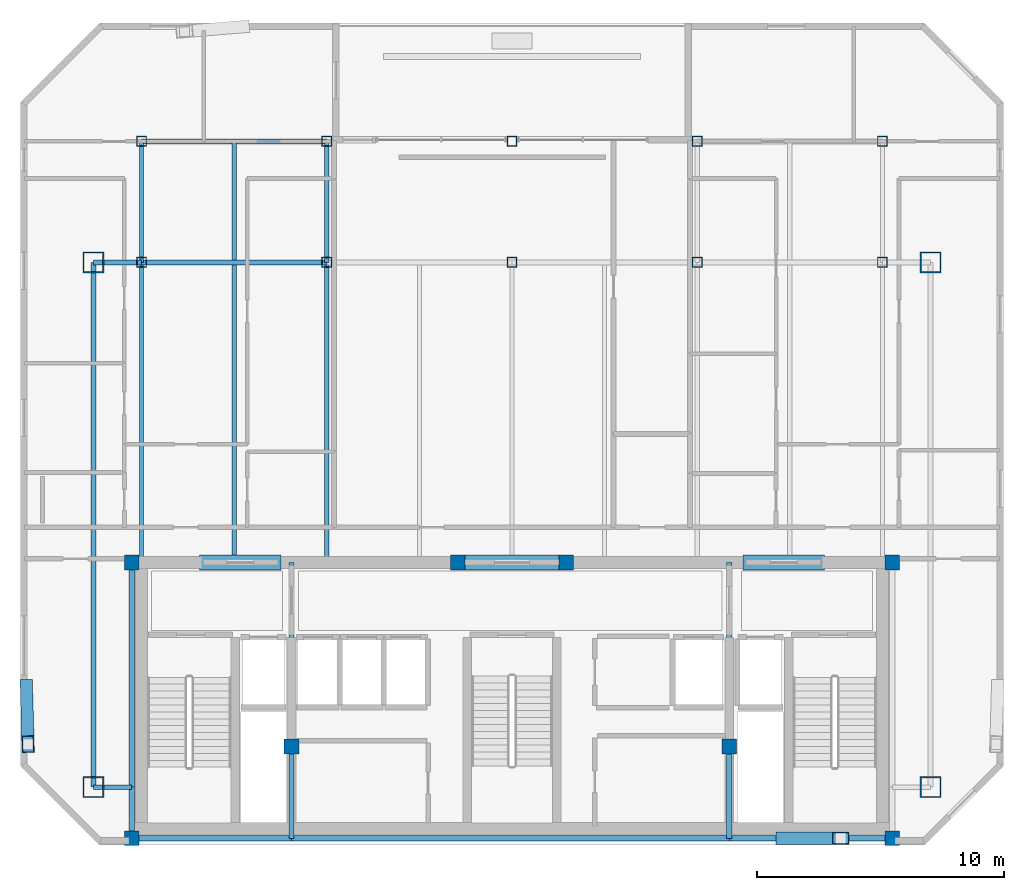
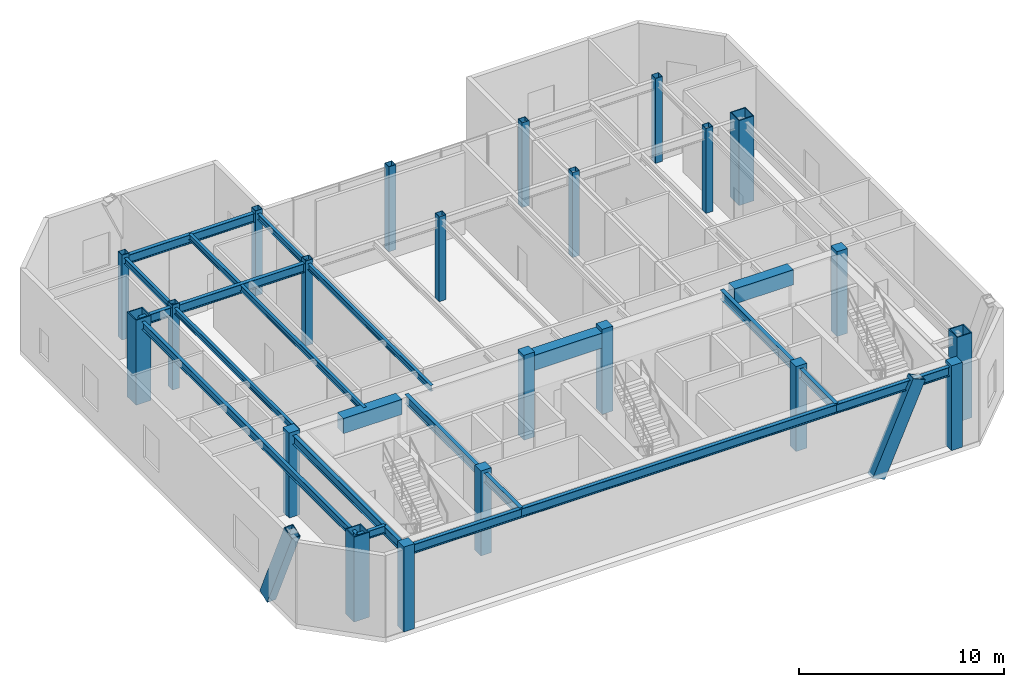
# One storey, part 1 of 11: 23 beams, 22 columns, 2 members.
"""IFC4 building model written with IfcOpenShell, lengths in metres."""

from ifc_helpers import new_model, si_unit, direction, frame, origin, origin_2d, place, context, subcontext, project, spatial, rectangle, hollow_rectangle, i_section, extrude, material, material_profile, profile_set, type_object, element, save


model = new_model("IFC4")

# Units and contexts
model_context = context("Model", 3, precision=1e-05, world=origin(), true_north=direction((0.0, 1.0)))
body_context = subcontext(model_context, "Body", "Model", "MODEL_VIEW")
ifc_project = project(units=[si_unit("LENGTHUNIT", "METRE"), si_unit("AREAUNIT", "SQUARE_METRE"), si_unit("VOLUMEUNIT", "CUBIC_METRE"), si_unit("PLANEANGLEUNIT", "RADIAN"), si_unit("MASSUNIT", "GRAM", prefix="KILO")], contexts=[model_context])

# Site, building, storey
site_placement = place(None, origin())
site = spatial("IfcSite", under=ifc_project, at=site_placement, CompositionType="ELEMENT")
building_placement = place(site_placement, origin())
building = spatial("IfcBuilding", under=site, at=building_placement, Name="Ventersveld Concourse Tower", CompositionType="ELEMENT")
storey_placement = place(building_placement, frame((0.0, 0.0, 308.0)))
storey = spatial("IfcBuildingStorey", under=building, at=storey_placement, Name="L76", CompositionType="ELEMENT", Elevation=308.0)

# Columns
ifc_material_1 = material(Name="Concrete C50/60", Category="concrete")
ifc_material_profile_1 = material_profile(ifc_material_1, rectangle(XDim=0.60009765625, YDim=0.60009765625, at=origin_2d()), Name="RC 600x600")
ifc_profile_set_1 = profile_set([ifc_material_profile_1], Name="Concrete C50/60")
column_type_1 = type_object("IfcColumnType", Name="COL-RC600", PredefinedType="COLUMN", material=ifc_profile_set_1)
for number, where, z_axis, x_axis, name in (
    (1, (13.35009765625, 0.280029296875, 0.0), (0.0, 0.0, 1.0), (1.0, 0.0, 0.0), "L76 Core Spine Column CC-SW"),
    (2, (44.14990234375, 0.280029296875, 0.0), (0.0, 0.0, 1.0), (1.0, 0.0, 0.0), "L76 Core Spine Column CC-SE"),
    (3, (13.35009765625, 11.449951171875, 0.0), (0.0, 0.0, 1.0), (1.0, 0.0, 0.0), "L76 Core Spine Column CC-NW"),
    (4, (44.14990234375, 11.449951171875, 0.0), (0.0, 0.0, 1.0), (1.0, 0.0, 0.0), "L76 Core Spine Column CC-NE"),
    (5, (19.820068359375, 4.0, 0.0), (0.0, 0.0, 1.0), (1.0, 0.0, 0.0), "L76 Core Spine Column CM-1"),
    (6, (37.550048828125, 4.0, 0.0), (0.0, 0.0, 1.0), (1.0, 0.0, 0.0), "L76 Core Spine Column CM-2"),
    (7, (26.550048828125, 11.449951171875, 0.0), (0.0, 0.0, 1.0), (1.0, 0.0, 0.0), "L76 Core Spine Column CM-3"),
    (8, (30.949951171875, 11.449951171875, 0.0), (0.0, 0.0, 1.0), (1.0, 0.0, 0.0), "L76 Core Spine Column CM-4"),
):
    element("IfcColumn", number, at=place(storey_placement, frame(where, z_axis=z_axis, x_axis=x_axis)), inside=storey, type_object=column_type_1, Name=name, PredefinedType="COLUMN", context=body_context, shape_type="SweptSolid", body=[
        extrude(rectangle(XDim=0.60009765625, YDim=0.60009765625, at=origin_2d()), origin(), (0.0, 0.0, 1.0), 5.050048828125),
    ])
ifc_material_2 = material(Name="Structural steel S355J2", Category="steel")
ifc_material_profile_2 = material_profile(ifc_material_2, hollow_rectangle(XDim=0.39990234375, YDim=0.39990234375, WallThickness=0.02001953125, at=origin_2d()), Name="SHS 400x400x20")
ifc_profile_set_2 = profile_set([ifc_material_profile_2], Name="Structural steel S355J2")
column_type_2 = type_object("IfcColumnType", Name="COL-SHS400", PredefinedType="COLUMN", material=ifc_profile_set_2)
for number, where, z_axis, x_axis, name in (
    (9, (13.75, 23.60009765625, 0.0), (0.0, 0.0, 1.0), (1.0, 0.0, 0.0), "L76 Interior Gravity Column X=13.75 Y=23.60"),
    (10, (21.25, 23.60009765625, 0.0), (0.0, 0.0, 1.0), (1.0, 0.0, 0.0), "L76 Interior Gravity Column X=21.25 Y=23.60"),
    (11, (28.75, 23.60009765625, 0.0), (0.0, 0.0, 1.0), (1.0, 0.0, 0.0), "L76 Interior Gravity Column X=28.75 Y=23.60"),
    (12, (36.25, 23.60009765625, 0.0), (0.0, 0.0, 1.0), (1.0, 0.0, 0.0), "L76 Interior Gravity Column X=36.25 Y=23.60"),
    (13, (43.75, 23.60009765625, 0.0), (0.0, 0.0, 1.0), (1.0, 0.0, 0.0), "L76 Interior Gravity Column X=43.75 Y=23.60"),
    (14, (13.75, 28.5, 0.0), (0.0, 0.0, 1.0), (1.0, 0.0, 0.0), "L76 Upper-North Gravity Column X=13.75 Y=28.50"),
    (15, (21.25, 28.5, 0.0), (0.0, 0.0, 1.0), (1.0, 0.0, 0.0), "L76 Upper-North Gravity Column X=21.25 Y=28.50"),
    (16, (28.75, 28.5, 0.0), (0.0, 0.0, 1.0), (1.0, 0.0, 0.0), "L76 Upper-North Gravity Column X=28.75 Y=28.50"),
    (17, (36.25, 28.5, 0.0), (0.0, 0.0, 1.0), (1.0, 0.0, 0.0), "L76 Upper-North Gravity Column X=36.25 Y=28.50"),
    (18, (43.75, 28.5, 0.0), (0.0, 0.0, 1.0), (1.0, 0.0, 0.0), "L76 Upper-North Gravity Column X=43.75 Y=28.50"),
):
    element("IfcColumn", number, at=place(storey_placement, frame(where, z_axis=z_axis, x_axis=x_axis)), inside=storey, type_object=column_type_2, Name=name, PredefinedType="COLUMN", context=body_context, shape_type="SweptSolid", body=[
        extrude(hollow_rectangle(XDim=0.39990234375, YDim=0.39990234375, WallThickness=0.02001953125, at=origin_2d()), origin(), (0.0, 0.0, 1.0), 5.050048828125),
    ])
ifc_material_3 = material(Name="Structural steel S460ML", Category="steel")
ifc_material_profile_3 = material_profile(ifc_material_3, hollow_rectangle(XDim=0.85009765625, YDim=0.85009765625, WallThickness=0.050048828125, at=origin_2d()), Name="BOX 850x850x50")
ifc_profile_set_3 = profile_set([ifc_material_profile_3], Name="Structural steel S460ML")
column_type_3 = type_object("IfcColumnType", Name="MC-850", PredefinedType="USERDEFINED", material=ifc_profile_set_3)
for number, where, z_axis, x_axis, name in (
    (19, (11.800048828125, 2.35009765625, 0.0), (0.0, 0.0, 1.0), (1.0, 0.0, 0.0), "L76 Corner Mega-Column MC-SW"),
    (20, (45.699951171875, 2.35009765625, 0.0), (0.0, 0.0, 1.0), (1.0, 0.0, 0.0), "L76 Corner Mega-Column MC-SE"),
    (21, (45.699951171875, 23.60009765625, 0.0), (0.0, 0.0, 1.0), (1.0, 0.0, 0.0), "L76 Corner Mega-Column MC-NE"),
    (22, (11.800048828125, 23.60009765625, 0.0), (0.0, 0.0, 1.0), (1.0, 0.0, 0.0), "L76 Corner Mega-Column MC-NW"),
):
    element("IfcColumn", number, at=place(storey_placement, frame(where, z_axis=z_axis, x_axis=x_axis)), inside=storey, type_object=column_type_3, Name=name, ObjectType="MEGA_COLUMN", PredefinedType="USERDEFINED", context=body_context, shape_type="SweptSolid", body=[
        extrude(hollow_rectangle(XDim=0.85009765625, YDim=0.85009765625, WallThickness=0.050048828125, at=origin_2d()), origin(), (0.0, 0.0, 1.0), 5.050048828125),
    ])

# Beams
ifc_material_profile_4 = material_profile(ifc_material_2, i_section(OverallWidth=0.17138671875, OverallDepth=0.35498046875, WebThickness=0.00732421875, FlangeThickness=0.011474609375, FilletRadius=0.01025390625, at=origin_2d()), Name="UB 356x171x51")
ifc_profile_set_4 = profile_set([ifc_material_profile_4], Name="Structural steel S355J2")
beam_type_1 = type_object("IfcBeamType", Name="BM-UB356", PredefinedType="BEAM", material=ifc_profile_set_4)
beam_1_placement = place(storey_placement, frame((13.75, 11.449951171875, 4.672607421875), z_axis=(0.0, 1.0, 0.0), x_axis=(-1.0, 0.0, 0.0)))
element("IfcBeam", 23, at=beam_1_placement, inside=storey, type_object=beam_type_1, Name="L76 N-S Composite Floor Beam South X=13.75", PredefinedType="BEAM", context=body_context, shape_type="SweptSolid", body=[
    extrude(i_section(OverallWidth=0.17138671875, OverallDepth=0.35498046875, WebThickness=0.00732421875, FlangeThickness=0.011474609375, FilletRadius=0.01025390625, at=origin_2d()), origin(), (0.0, 0.0, 1.0), 12.150146484375),
])
beam_2_placement = place(storey_placement, frame((13.75, 23.60009765625, 4.672607421875), z_axis=(0.0, 1.0, 0.0), x_axis=(-1.0, 0.0, 0.0)))
element("IfcBeam", 24, at=beam_2_placement, inside=storey, type_object=beam_type_1, Name="L76 N-S Upper-Zone Floor Beam X=13.75", PredefinedType="BEAM", context=body_context, shape_type="SweptSolid", body=[
    extrude(i_section(OverallWidth=0.17138671875, OverallDepth=0.35498046875, WebThickness=0.00732421875, FlangeThickness=0.011474609375, FilletRadius=0.01025390625, at=origin_2d()), origin(), (0.0, 0.0, 1.0), 4.89990234375),
])
beam_3_placement = place(storey_placement, frame((17.5, 11.449951171875, 4.672607421875), z_axis=(0.0, 1.0, 0.0), x_axis=(-1.0, 0.0, 0.0)))
element("IfcBeam", 25, at=beam_3_placement, inside=storey, type_object=beam_type_1, Name="L76 N-S Composite Floor Beam South X=17.50", PredefinedType="BEAM", context=body_context, shape_type="SweptSolid", body=[
    extrude(i_section(OverallWidth=0.17138671875, OverallDepth=0.35498046875, WebThickness=0.00732421875, FlangeThickness=0.011474609375, FilletRadius=0.01025390625, at=origin_2d()), origin(), (0.0, 0.0, 1.0), 12.054931640625),
])
beam_4_placement = place(storey_placement, frame((17.5, 23.695068359375, 4.672607421875), z_axis=(0.0, 1.0, 0.0), x_axis=(-1.0, 0.0, 0.0)))
element("IfcBeam", 26, at=beam_4_placement, inside=storey, type_object=beam_type_1, Name="L76 N-S Upper-Zone Floor Beam X=17.50", PredefinedType="BEAM", context=body_context, shape_type="SweptSolid", body=[
    extrude(i_section(OverallWidth=0.17138671875, OverallDepth=0.35498046875, WebThickness=0.00732421875, FlangeThickness=0.011474609375, FilletRadius=0.01025390625, at=origin_2d()), origin(), (0.0, 0.0, 1.0), 4.804931640625),
])
beam_5_placement = place(storey_placement, frame((21.25, 11.449951171875, 4.672607421875), z_axis=(0.0, 1.0, 0.0), x_axis=(-1.0, 0.0, 0.0)))
element("IfcBeam", 27, at=beam_5_placement, inside=storey, type_object=beam_type_1, Name="L76 N-S Composite Floor Beam South X=21.25", PredefinedType="BEAM", context=body_context, shape_type="SweptSolid", body=[
    extrude(i_section(OverallWidth=0.17138671875, OverallDepth=0.35498046875, WebThickness=0.00732421875, FlangeThickness=0.011474609375, FilletRadius=0.01025390625, at=origin_2d()), origin(), (0.0, 0.0, 1.0), 12.150146484375),
])
beam_6_placement = place(storey_placement, frame((21.25, 23.60009765625, 4.672607421875), z_axis=(0.0, 1.0, 0.0), x_axis=(-1.0, 0.0, 0.0)))
element("IfcBeam", 28, at=beam_6_placement, inside=storey, type_object=beam_type_1, Name="L76 N-S Upper-Zone Floor Beam X=21.25", PredefinedType="BEAM", context=body_context, shape_type="SweptSolid", body=[
    extrude(i_section(OverallWidth=0.17138671875, OverallDepth=0.35498046875, WebThickness=0.00732421875, FlangeThickness=0.011474609375, FilletRadius=0.01025390625, at=origin_2d()), origin(), (0.0, 0.0, 1.0), 4.89990234375),
])
ifc_material_profile_5 = material_profile(ifc_material_1, rectangle(XDim=0.60009765625, YDim=0.89990234375, at=origin_2d()), Name="RC 600x900")
ifc_profile_set_5 = profile_set([ifc_material_profile_5], Name="Concrete C50/60")
beam_type_2 = type_object("IfcBeamType", Name="CB-RC600x900U", PredefinedType="LINTEL", material=ifc_profile_set_5)
beam_7_placement = place(storey_placement, frame((16.10009765625, 11.449951171875, 4.39990234375), z_axis=(1.0, 0.0, 0.0), x_axis=(0.0, 1.0, 0.0)))
element("IfcBeam", 29, at=beam_7_placement, inside=storey, type_object=beam_type_2, Name="L76 Core Coupling Lintel Beam 1", PredefinedType="LINTEL", context=body_context, shape_type="SweptSolid", body=[
    extrude(rectangle(XDim=0.60009765625, YDim=0.89990234375, at=origin_2d()), origin(), (0.0, 0.0, 1.0), 3.2998046875),
])
beam_8_placement = place(storey_placement, frame((26.5, 11.449951171875, 4.39990234375), z_axis=(1.0, 0.0, 0.0), x_axis=(0.0, 1.0, 0.0)))
element("IfcBeam", 30, at=beam_8_placement, inside=storey, type_object=beam_type_2, Name="L76 Core Coupling Lintel Beam 2", PredefinedType="LINTEL", context=body_context, shape_type="SweptSolid", body=[
    extrude(rectangle(XDim=0.60009765625, YDim=0.89990234375, at=origin_2d()), origin(), (0.0, 0.0, 1.0), 4.5),
])
beam_9_placement = place(storey_placement, frame((38.10009765625, 11.449951171875, 4.39990234375), z_axis=(1.0, 0.0, 0.0), x_axis=(0.0, 1.0, 0.0)))
element("IfcBeam", 31, at=beam_9_placement, inside=storey, type_object=beam_type_2, Name="L76 Core Coupling Lintel Beam 3", PredefinedType="LINTEL", context=body_context, shape_type="SweptSolid", body=[
    extrude(rectangle(XDim=0.60009765625, YDim=0.89990234375, at=origin_2d()), origin(), (0.0, 0.0, 1.0), 3.2998046875),
])
ifc_material_profile_6 = material_profile(ifc_material_2, i_section(OverallWidth=0.209228515625, OverallDepth=0.533203125, WebThickness=0.010009765625, FlangeThickness=0.015625, FilletRadius=0.0126953125, at=origin_2d()), Name="UB 533x210x92")
ifc_profile_set_6 = profile_set([ifc_material_profile_6], Name="Structural steel S355J2")
beam_type_3 = type_object("IfcBeamType", Name="GRD-UB533", PredefinedType="T_BEAM", material=ifc_profile_set_6)
beam_10_placement = place(storey_placement, frame((11.800048828125, 23.60009765625, 4.58349609375), z_axis=(1.0, 0.0, 0.0), x_axis=(0.0, 1.0, 0.0)))
element("IfcBeam", 32, at=beam_10_placement, inside=storey, type_object=beam_type_3, Name="L76 Primary E-W Grid Girder Y=23.60 #1", PredefinedType="T_BEAM", context=body_context, shape_type="SweptSolid", body=[
    extrude(i_section(OverallWidth=0.209228515625, OverallDepth=0.533203125, WebThickness=0.010009765625, FlangeThickness=0.015625, FilletRadius=0.0126953125, at=origin_2d()), origin(), (0.0, 0.0, 1.0), 1.949951171875),
])
for number, where, z_axis, x_axis, name in (
    (33, (13.75, 23.60009765625, 4.58349609375), (1.0, 0.0, 0.0), (0.0, 1.0, 0.0), "L76 Primary E-W Grid Girder Y=23.60 #2"),
    (34, (13.75, 28.5, 4.58349609375), (1.0, 0.0, 0.0), (0.0, 1.0, 0.0), "L76 North Girder Y=28.50 W"),
):
    element("IfcBeam", number, at=place(storey_placement, frame(where, z_axis=z_axis, x_axis=x_axis)), inside=storey, type_object=beam_type_3, Name=name, PredefinedType="T_BEAM", context=body_context, shape_type="SweptSolid", body=[
        extrude(i_section(OverallWidth=0.209228515625, OverallDepth=0.533203125, WebThickness=0.010009765625, FlangeThickness=0.015625, FilletRadius=0.0126953125, at=origin_2d()), origin(), (0.0, 0.0, 1.0), 7.5),
    ])
ifc_material_profile_7 = material_profile(ifc_material_2, i_section(OverallWidth=0.2119140625, OverallDepth=0.54443359375, WebThickness=0.0126953125, FlangeThickness=0.021240234375, FilletRadius=0.0126953125, at=origin_2d()), Name="UB 533x210x122")
ifc_profile_set_7 = profile_set([ifc_material_profile_7], Name="Structural steel S355J2")
beam_type_4 = type_object("IfcBeamType", Name="GRD-UB533H", PredefinedType="T_BEAM", material=ifc_profile_set_7)
beam_11_placement = place(storey_placement, frame((13.35009765625, 0.280029296875, 4.577880859375), z_axis=(0.0, 1.0, 0.0), x_axis=(-1.0, 0.0, 0.0)))
element("IfcBeam", 35, at=beam_11_placement, inside=storey, type_object=beam_type_4, Name="L76 Core West Tie Beam S", PredefinedType="T_BEAM", context=body_context, shape_type="SweptSolid", body=[
    extrude(i_section(OverallWidth=0.2119140625, OverallDepth=0.54443359375, WebThickness=0.0126953125, FlangeThickness=0.021240234375, FilletRadius=0.0126953125, at=origin_2d()), origin(), (0.0, 0.0, 1.0), 2.070068359375),
])
beam_12_placement = place(storey_placement, frame((13.35009765625, 2.35009765625, 4.577880859375), z_axis=(0.0, 1.0, 0.0), x_axis=(-1.0, 0.0, 0.0)))
element("IfcBeam", 36, at=beam_12_placement, inside=storey, type_object=beam_type_4, Name="L76 Core West Tie Beam N", PredefinedType="T_BEAM", context=body_context, shape_type="SweptSolid", body=[
    extrude(i_section(OverallWidth=0.2119140625, OverallDepth=0.54443359375, WebThickness=0.0126953125, FlangeThickness=0.021240234375, FilletRadius=0.0126953125, at=origin_2d()), origin(), (0.0, 0.0, 1.0), 9.099853515625),
])
beam_13_placement = place(storey_placement, frame((13.35009765625, 0.280029296875, 4.577880859375), z_axis=(1.0, 0.0, 0.0), x_axis=(0.0, 1.0, 0.0)))
element("IfcBeam", 37, at=beam_13_placement, inside=storey, type_object=beam_type_4, Name="L76 Core South Tie Beam W", PredefinedType="T_BEAM", context=body_context, shape_type="SweptSolid", body=[
    extrude(i_section(OverallWidth=0.2119140625, OverallDepth=0.54443359375, WebThickness=0.0126953125, FlangeThickness=0.021240234375, FilletRadius=0.0126953125, at=origin_2d()), origin(), (0.0, 0.0, 1.0), 6.469970703125),
])
beam_14_placement = place(storey_placement, frame((19.820068359375, 0.280029296875, 4.577880859375), z_axis=(1.0, 0.0, 0.0), x_axis=(0.0, 1.0, 0.0)))
element("IfcBeam", 38, at=beam_14_placement, inside=storey, type_object=beam_type_4, Name="L76 Core South Tie Beam C", PredefinedType="T_BEAM", context=body_context, shape_type="SweptSolid", body=[
    extrude(i_section(OverallWidth=0.2119140625, OverallDepth=0.54443359375, WebThickness=0.0126953125, FlangeThickness=0.021240234375, FilletRadius=0.0126953125, at=origin_2d()), origin(), (0.0, 0.0, 1.0), 17.72998046875),
])
beam_15_placement = place(storey_placement, frame((37.550048828125, 0.280029296875, 4.577880859375), z_axis=(1.0, 0.0, 0.0), x_axis=(0.0, 1.0, 0.0)))
element("IfcBeam", 39, at=beam_15_placement, inside=storey, type_object=beam_type_4, Name="L76 Core South Tie Beam E", PredefinedType="T_BEAM", context=body_context, shape_type="SweptSolid", body=[
    extrude(i_section(OverallWidth=0.2119140625, OverallDepth=0.54443359375, WebThickness=0.0126953125, FlangeThickness=0.021240234375, FilletRadius=0.0126953125, at=origin_2d()), origin(), (0.0, 0.0, 1.0), 6.599853515625),
])
beam_16_placement = place(storey_placement, frame((19.820068359375, 0.280029296875, 4.577880859375), z_axis=(0.0, 1.0, 0.0), x_axis=(-1.0, 0.0, 0.0)))
element("IfcBeam", 40, at=beam_16_placement, inside=storey, type_object=beam_type_4, Name="L76 Core Spine N-S Tie Beam W1", PredefinedType="T_BEAM", context=body_context, shape_type="SweptSolid", body=[
    extrude(i_section(OverallWidth=0.2119140625, OverallDepth=0.54443359375, WebThickness=0.0126953125, FlangeThickness=0.021240234375, FilletRadius=0.0126953125, at=origin_2d()), origin(), (0.0, 0.0, 1.0), 3.719970703125),
])
beam_17_placement = place(storey_placement, frame((19.820068359375, 4.0, 4.577880859375), z_axis=(0.0, 1.0, 0.0), x_axis=(-1.0, 0.0, 0.0)))
element("IfcBeam", 41, at=beam_17_placement, inside=storey, type_object=beam_type_4, Name="L76 Core Spine N-S Tie Beam W2", PredefinedType="T_BEAM", context=body_context, shape_type="SweptSolid", body=[
    extrude(i_section(OverallWidth=0.2119140625, OverallDepth=0.54443359375, WebThickness=0.0126953125, FlangeThickness=0.021240234375, FilletRadius=0.0126953125, at=origin_2d()), origin(), (0.0, 0.0, 1.0), 7.449951171875),
])
beam_18_placement = place(storey_placement, frame((37.550048828125, 0.280029296875, 4.577880859375), z_axis=(0.0, 1.0, 0.0), x_axis=(-1.0, 0.0, 0.0)))
element("IfcBeam", 42, at=beam_18_placement, inside=storey, type_object=beam_type_4, Name="L76 Core Spine N-S Tie Beam E1", PredefinedType="T_BEAM", context=body_context, shape_type="SweptSolid", body=[
    extrude(i_section(OverallWidth=0.2119140625, OverallDepth=0.54443359375, WebThickness=0.0126953125, FlangeThickness=0.021240234375, FilletRadius=0.0126953125, at=origin_2d()), origin(), (0.0, 0.0, 1.0), 3.719970703125),
])
beam_19_placement = place(storey_placement, frame((37.550048828125, 4.0, 4.577880859375), z_axis=(0.0, 1.0, 0.0), x_axis=(-1.0, 0.0, 0.0)))
element("IfcBeam", 43, at=beam_19_placement, inside=storey, type_object=beam_type_4, Name="L76 Core Spine N-S Tie Beam E2", PredefinedType="T_BEAM", context=body_context, shape_type="SweptSolid", body=[
    extrude(i_section(OverallWidth=0.2119140625, OverallDepth=0.54443359375, WebThickness=0.0126953125, FlangeThickness=0.021240234375, FilletRadius=0.0126953125, at=origin_2d()), origin(), (0.0, 0.0, 1.0), 7.449951171875),
])

# Members
ifc_material_4 = material(Name="Structural steel S355ML", Category="steel")
ifc_material_profile_8 = material_profile(ifc_material_4, hollow_rectangle(XDim=0.5, YDim=0.75, WallThickness=0.034912109375, at=origin_2d()), Name="BOX 750x500x35")
ifc_profile_set_8 = profile_set([ifc_material_profile_8], Name="Structural steel S355ML")
member_type = type_object("IfcMemberType", Name="MB-750x500", PredefinedType="BRACE", material=ifc_profile_set_8)
member_1_placement = place(storey_placement, frame((39.77880859375, 0.280029296875, -0.280029296875), z_axis=(0.406388587985, 0.0, 0.91370034232), x_axis=(0.0, 1.0, 0.0)))
element("IfcMember", 44, at=member_1_placement, inside=storey, type_object=member_type, Name="L76 Exterior Mega-Brace S (Module M18)", PredefinedType="BRACE", context=body_context, shape_type="SweptSolid", body=[
    extrude(hollow_rectangle(XDim=0.5, YDim=0.75, WallThickness=0.034912109375, at=origin_2d()), origin(), (0.0, 0.0, 1.0), 5.61474609375),
])
member_2_placement = place(storey_placement, frame((9.08740234375, 6.37109375, -0.280029296875), z_axis=(0.011565808268, -0.406325106269, 0.913655372717), x_axis=(0.999595134419, 0.028452895212, 0.0)))
element("IfcMember", 45, at=member_2_placement, inside=storey, type_object=member_type, Name="L76 Exterior Mega-Brace W (Module M18)", PredefinedType="BRACE", context=body_context, shape_type="SweptSolid", body=[
    extrude(hollow_rectangle(XDim=0.5, YDim=0.75, WallThickness=0.034912109375, at=origin_2d()), origin(), (0.0, 0.0, 1.0), 5.614990234375),
])

# Beams
ifc_material_profile_9 = material_profile(ifc_material_2, i_section(OverallWidth=0.19140625, OverallDepth=0.4599609375, WebThickness=0.010009765625, FlangeThickness=0.01611328125, FilletRadius=0.01025390625, at=origin_2d()), Name="UB 457x191x82")
ifc_profile_set_9 = profile_set([ifc_material_profile_9], Name="Structural steel S355J2")
beam_type_5 = type_object("IfcBeamType", Name="SPD-UB457", PredefinedType="SPANDREL", material=ifc_profile_set_9)
beam_20_placement = place(storey_placement, frame((11.800048828125, 2.35009765625, 4.6201171875), z_axis=(1.0, 0.0, 0.0), x_axis=(0.0, 1.0, 0.0)))
element("IfcBeam", 46, at=beam_20_placement, inside=storey, type_object=beam_type_5, Name="L76 SW Spandrel Beam", PredefinedType="SPANDREL", context=body_context, shape_type="SweptSolid", body=[
    extrude(i_section(OverallWidth=0.19140625, OverallDepth=0.4599609375, WebThickness=0.010009765625, FlangeThickness=0.01611328125, FilletRadius=0.01025390625, at=origin_2d()), origin(), (0.0, 0.0, 1.0), 1.550048828125),
])
beam_21_placement = place(storey_placement, frame((11.800048828125, 2.35009765625, 4.6201171875), z_axis=(0.0, 1.0, 0.0), x_axis=(-1.0, 0.0, 0.0)))
element("IfcBeam", 47, at=beam_21_placement, inside=storey, type_object=beam_type_5, Name="L76 West Spandrel Beam", PredefinedType="SPANDREL", context=body_context, shape_type="SweptSolid", body=[
    extrude(i_section(OverallWidth=0.19140625, OverallDepth=0.4599609375, WebThickness=0.010009765625, FlangeThickness=0.01611328125, FilletRadius=0.01025390625, at=origin_2d()), origin(), (0.0, 0.0, 1.0), 21.25),
])

save(model, "model.ifc")
